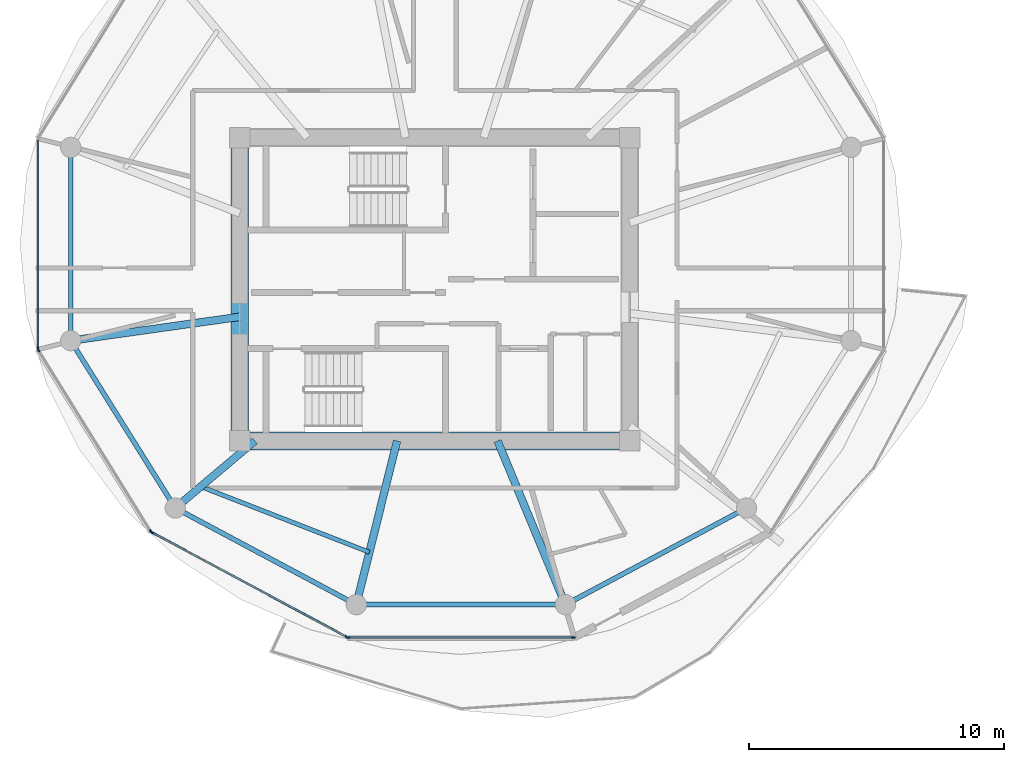
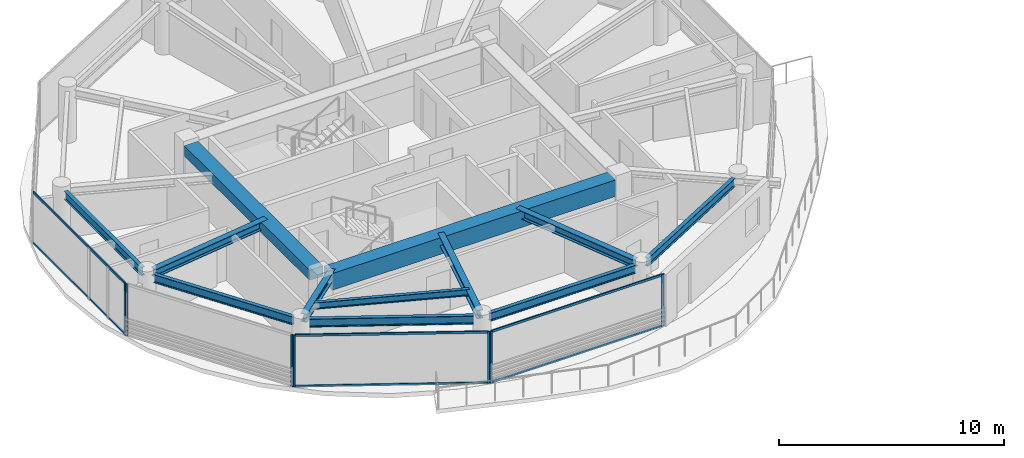
# One storey, part 2 of 22: 13 members, 12 beams, 4 elements without a shape of their own.
"""IFC4 building model written with IfcOpenShell, lengths in metres."""

from ifc_helpers import new_model, si_unit, direction, frame, origin, origin_2d, place, context, subcontext, project, spatial, rectangle, i_section, extrude, source, transform, mapped, material, layer, layer_set, material_profile, profile_set, type_object, type_shapes, element, aggregate, save


model = new_model("IFC4")

# Units and contexts
model_context = context("Model", 3, precision=1e-05, world=origin(), true_north=direction((0.0, 1.0)))
body_context = subcontext(model_context, "Body", "Model", "MODEL_VIEW")
ifc_project = project(units=[si_unit("LENGTHUNIT", "METRE"), si_unit("AREAUNIT", "SQUARE_METRE"), si_unit("VOLUMEUNIT", "CUBIC_METRE"), si_unit("PLANEANGLEUNIT", "RADIAN"), si_unit("MASSUNIT", "GRAM", prefix="KILO")], contexts=[model_context])

# Site, building, storey
site_placement = place(None, origin())
site = spatial("IfcSite", under=ifc_project, at=site_placement, CompositionType="ELEMENT")
building_placement = place(site_placement, origin())
building = spatial("IfcBuilding", under=site, at=building_placement, Name="Norrkilde Senior Care Towers", CompositionType="ELEMENT")
storey_placement = place(building_placement, frame((0.0, 0.0, 180.050048828125)))
storey = spatial("IfcBuildingStorey", under=building, at=storey_placement, Name="L56", CompositionType="ELEMENT", Elevation=180.050048828125)

# Beams
ifc_material_1 = material(Name="Concrete C60/75", Category="concrete")
ifc_material_profile_1 = material_profile(ifc_material_1, rectangle(XDim=0.699951171875, YDim=0.89990234375, at=origin_2d()), Name="RC BM 700x900")
ifc_profile_set_1 = profile_set([ifc_material_profile_1], Name="Concrete C60/75")
beam_type_1 = type_object("IfcBeamType", Name="Core Coupling Girder 700x900", PredefinedType="USERDEFINED", material=ifc_profile_set_1)
shared_shape_1 = source(origin(), body_context, "Body", "SweptSolid", [
    extrude(rectangle(XDim=0.699951171875, YDim=0.89990234375, at=origin_2d()), origin(), (0.0, 0.0, 1.0), 14.5400390625),
])
type_shapes(beam_type_1, [shared_shape_1])
beam_1_placement = place(storey_placement, frame((-35.27001953125, -5.949951171875, 2.35986328125), z_axis=(1.0, 0.0, 0.0), x_axis=(0.0, 1.0, 0.0)))
element("IfcBeam", 1, at=beam_1_placement, inside=storey, type_object=beam_type_1, Name="L56 Core W S Coupling Girder", ObjectType="GIRDER", PredefinedType="USERDEFINED", context=body_context, shape_type="MappedRepresentation", body=[
    mapped(shared_shape_1, transform((0.0, 0.0, 0.0), x_axis=(1.0, 0.0, 0.0), y_axis=(0.0, 1.0, 0.0), z_axis=(0.0, 0.0, 1.0), scale=1.0)),
])
ifc_material_profile_2 = material_profile(ifc_material_1, rectangle(XDim=0.699951171875, YDim=0.550048828125, at=origin_2d()), Name="RC BM 700x550")
ifc_profile_set_2 = profile_set([ifc_material_profile_2], Name="Concrete C60/75")
beam_type_2 = type_object("IfcBeamType", Name="Core Portal Coupling Beam 700x550", PredefinedType="USERDEFINED", material=ifc_profile_set_2)
shared_shape_2 = source(origin(), body_context, "Body", "SweptSolid", [
    extrude(rectangle(XDim=0.699951171875, YDim=0.550048828125, at=origin_2d()), origin(), (0.0, 0.0, 1.0), 11.14013671875),
])
type_shapes(beam_type_2, [shared_shape_2])
beam_2_placement = place(storey_placement, frame((-35.64990234375, -5.570068359375, 2.534912109375), z_axis=(0.0, 1.0, 0.0), x_axis=(-1.0, 0.0, 0.0)))
element("IfcBeam", 2, at=beam_2_placement, inside=storey, type_object=beam_type_2, Name="L56 Core W W Coupling Girder", ObjectType="GIRDER", PredefinedType="USERDEFINED", context=body_context, shape_type="MappedRepresentation", body=[
    mapped(shared_shape_2, transform((0.0, 0.0, 0.0), x_axis=(1.0, 0.0, 0.0), y_axis=(0.0, 1.0, 0.0), z_axis=(0.0, 0.0, 1.0), scale=1.0)),
])
ifc_material_2 = material(Name="Steel S355", Category="steel")
ifc_material_profile_3 = material_profile(ifc_material_2, i_section(OverallWidth=0.18994140625, OverallDepth=0.449951171875, WebThickness=0.009521484375, FlangeThickness=0.0146484375, FilletRadius=0.02099609375, at=origin_2d()), Name="IPE 450")
ifc_profile_set_3 = profile_set([ifc_material_profile_3], Name="Steel S355")
beam_type_3 = type_object("IfcBeamType", Name="Perimeter Ring Spandrel Z3 IPE450", PredefinedType="SPANDREL", material=ifc_profile_set_3)
shared_shape_3 = source(origin(), body_context, "Body", "SweptSolid", [
    extrude(i_section(OverallWidth=0.18994140625, OverallDepth=0.449951171875, WebThickness=0.009521484375, FlangeThickness=0.0146484375, FilletRadius=0.02099609375, at=origin_2d()), origin(), (0.0, 0.0, 1.0), 7.484619140625),
])
beam_3_placement = place(storey_placement, frame((-30.71728515625, -12.37548828125, 2.5849609375), z_axis=(1.0, 0.0, 0.0), x_axis=(0.0, 1.0, 0.0)))
element("IfcBeam", 3, at=beam_3_placement, inside=storey, type_object=beam_type_3, Name="L56 Drum W Perimeter Spandrel 09", PredefinedType="SPANDREL", context=body_context, shape_type="MappedRepresentation", body=[
    mapped(shared_shape_3, transform((0.0, 0.0, 0.0), x_axis=(1.0, 0.0, 0.0), y_axis=(0.0, 1.0, 0.0), z_axis=(0.0, 0.0, 1.0), scale=1.0)),
])
shared_shape_4 = source(origin(), body_context, "Body", "SweptSolid", [
    extrude(i_section(OverallWidth=0.18994140625, OverallDepth=0.449951171875, WebThickness=0.009521484375, FlangeThickness=0.0146484375, FilletRadius=0.02099609375, at=origin_2d()), origin(), (0.0, 0.0, 1.0), 6.86328125),
])
beam_4_placement = place(storey_placement, frame((-42.284912109375, 5.20703125, 2.5849609375), z_axis=(0.0, -1.0, 0.0), x_axis=(1.0, 0.0, 0.0)))
element("IfcBeam", 4, at=beam_4_placement, inside=storey, type_object=beam_type_3, Name="L56 Drum W Perimeter Spandrel 06", PredefinedType="SPANDREL", context=body_context, shape_type="MappedRepresentation", body=[
    mapped(shared_shape_4, transform((0.0, 0.0, 0.0), x_axis=(1.0, 0.0, 0.0), y_axis=(0.0, 1.0, 0.0), z_axis=(0.0, 0.0, 1.0), scale=1.0)),
])
shared_shape_5 = source(origin(), body_context, "Body", "SweptSolid", [
    extrude(i_section(OverallWidth=0.18994140625, OverallDepth=0.449951171875, WebThickness=0.009521484375, FlangeThickness=0.0146484375, FilletRadius=0.02099609375, at=origin_2d()), origin(), (0.0, 0.0, 1.0), 7.023193359375),
])
beam_5_placement = place(storey_placement, frame((-42.09423828125, -2.32177734375, 2.5849609375), z_axis=(0.529805197269, -0.848119362441, 0.0), x_axis=(0.848119362441, 0.529805197269, 0.0)))
element("IfcBeam", 5, at=beam_5_placement, inside=storey, type_object=beam_type_3, Name="L56 Drum W Perimeter Spandrel 07", PredefinedType="SPANDREL", context=body_context, shape_type="MappedRepresentation", body=[
    mapped(shared_shape_5, transform((0.0, 0.0, 0.0), x_axis=(1.0, 0.0, 0.0), y_axis=(0.0, 1.0, 0.0), z_axis=(0.0, 0.0, 1.0), scale=1.0)),
])
ifc_material_profile_4 = material_profile(ifc_material_2, i_section(OverallWidth=0.300048828125, OverallDepth=0.449951171875, WebThickness=0.013916015625, FlangeThickness=0.02587890625, FilletRadius=0.027099609375, at=origin_2d()), Name="HEB 450")
ifc_profile_set_4 = profile_set([ifc_material_profile_4], Name="Steel S355")
beam_type_4 = type_object("IfcBeamType", Name="Radial Floor Beam Z3 HEB450", PredefinedType="BEAM", material=ifc_profile_set_4)
shared_shape_6 = source(origin(), body_context, "Body", "SweptSolid", [
    extrude(i_section(OverallWidth=0.300048828125, OverallDepth=0.449951171875, WebThickness=0.013916015625, FlangeThickness=0.02587890625, FilletRadius=0.027099609375, at=origin_2d()), origin(), (0.0, 0.0, 1.0), 6.3408203125),
])
beam_6_placement = place(storey_placement, frame((-35.64990234375, -1.079833984375, 2.5849609375), z_axis=(-0.990184519576, -0.139766294905, 0.0), x_axis=(0.139766294905, -0.990184519576, 0.0)))
element("IfcBeam", 6, at=beam_6_placement, inside=storey, type_object=beam_type_4, Name="L56 Drum W Radial Floor Beam 07", PredefinedType="BEAM", context=body_context, shape_type="MappedRepresentation", body=[
    mapped(shared_shape_6, transform((0.0, 0.0, 0.0), x_axis=(1.0, 0.0, 0.0), y_axis=(0.0, 1.0, 0.0), z_axis=(0.0, 0.0, 1.0), scale=1.0)),
])
shared_shape_7 = source(origin(), body_context, "Body", "SweptSolid", [
    extrude(i_section(OverallWidth=0.18994140625, OverallDepth=0.449951171875, WebThickness=0.009521484375, FlangeThickness=0.0146484375, FilletRadius=0.02099609375, at=origin_2d()), origin(), (0.0, 0.0, 1.0), 7.333984375),
])
type_shapes(beam_type_3, [shared_shape_3, shared_shape_4, shared_shape_5, shared_shape_7])
for number, where, z_axis, x_axis, name in (
    (7, (-37.864990234375, -8.753173828125, 2.5849609375), (0.882234038987, -0.470811109101, 0.0), (0.470811109101, 0.882234038987, 0.0), "L56 Drum W Perimeter Spandrel 08"),
    (8, (-22.55517578125, -12.2060546875, 2.5849609375), (0.882234038987, 0.470811109101, 0.0), (-0.470811109101, 0.882234038987, 0.0), "L56 Drum W Perimeter Spandrel 10"),
):
    element("IfcBeam", number, at=place(storey_placement, frame(where, z_axis=z_axis, x_axis=x_axis)), inside=storey, type_object=beam_type_3, Name=name, PredefinedType="SPANDREL", context=body_context, shape_type="MappedRepresentation", body=[
        mapped(shared_shape_7, transform((0.0, 0.0, 0.0), x_axis=(1.0, 0.0, 0.0), y_axis=(0.0, 1.0, 0.0), z_axis=(0.0, 0.0, 1.0), scale=1.0)),
    ])
shared_shape_8 = source(origin(), body_context, "Body", "SweptSolid", [
    extrude(i_section(OverallWidth=0.300048828125, OverallDepth=0.449951171875, WebThickness=0.013916015625, FlangeThickness=0.02587890625, FilletRadius=0.027099609375, at=origin_2d()), origin(), (0.0, 0.0, 1.0), 3.7265625),
])
beam_7_placement = place(storey_placement, frame((-35.058349609375, -5.949951171875, 2.5849609375), z_axis=(-0.764567902106, -0.644543189453, 0.0), x_axis=(0.644543189453, -0.764567902106, 0.0)))
element("IfcBeam", 9, at=beam_7_placement, inside=storey, type_object=beam_type_4, Name="L56 Drum W Radial Floor Beam 08", PredefinedType="BEAM", context=body_context, shape_type="MappedRepresentation", body=[
    mapped(shared_shape_8, transform((0.0, 0.0, 0.0), x_axis=(1.0, 0.0, 0.0), y_axis=(0.0, 1.0, 0.0), z_axis=(0.0, 0.0, 1.0), scale=1.0)),
])
shared_shape_9 = source(origin(), body_context, "Body", "SweptSolid", [
    extrude(i_section(OverallWidth=0.300048828125, OverallDepth=0.449951171875, WebThickness=0.013916015625, FlangeThickness=0.02587890625, FilletRadius=0.027099609375, at=origin_2d()), origin(), (0.0, 0.0, 1.0), 6.26123046875),
])
beam_8_placement = place(storey_placement, frame((-29.4794921875, -5.949951171875, 2.5849609375), z_axis=(-0.241324375921, -0.970444509277, 0.0), x_axis=(0.970444509277, -0.241324375921, 0.0)))
element("IfcBeam", 10, at=beam_8_placement, inside=storey, type_object=beam_type_4, Name="L56 Drum W Radial Floor Beam 09", PredefinedType="BEAM", context=body_context, shape_type="MappedRepresentation", body=[
    mapped(shared_shape_9, transform((0.0, 0.0, 0.0), x_axis=(1.0, 0.0, 0.0), y_axis=(0.0, 1.0, 0.0), z_axis=(0.0, 0.0, 1.0), scale=1.0)),
])
shared_shape_10 = source(origin(), body_context, "Body", "SweptSolid", [
    extrude(i_section(OverallWidth=0.300048828125, OverallDepth=0.449951171875, WebThickness=0.013916015625, FlangeThickness=0.02587890625, FilletRadius=0.027099609375, at=origin_2d()), origin(), (0.0, 0.0, 1.0), 6.59521484375),
])
type_shapes(beam_type_4, [shared_shape_6, shared_shape_8, shared_shape_9, shared_shape_10])
beam_9_placement = place(storey_placement, frame((-25.534912109375, -5.949951171875, 2.5849609375), z_axis=(0.382761541363, -0.923847174836, 0.0), x_axis=(0.923847174836, 0.382761541363, 0.0)))
element("IfcBeam", 11, at=beam_9_placement, inside=storey, type_object=beam_type_4, Name="L56 Drum W Radial Floor Beam 10", PredefinedType="BEAM", context=body_context, shape_type="MappedRepresentation", body=[
    mapped(shared_shape_10, transform((0.0, 0.0, 0.0), x_axis=(1.0, 0.0, 0.0), y_axis=(0.0, 1.0, 0.0), z_axis=(0.0, 0.0, 1.0), scale=1.0)),
])
ifc_material_profile_5 = material_profile(ifc_material_2, i_section(OverallWidth=0.169921875, OverallDepth=0.360107421875, WebThickness=0.008056640625, FlangeThickness=0.0126953125, FilletRadius=0.01806640625, at=origin_2d()), Name="IPE 360")
ifc_profile_set_5 = profile_set([ifc_material_profile_5], Name="Steel S355")
beam_type_5 = type_object("IfcBeamType", Name="Secondary Floor Joist IPE360", PredefinedType="JOIST", material=ifc_profile_set_5)
shared_shape_11 = source(origin(), body_context, "Body", "SweptSolid", [
    extrude(i_section(OverallWidth=0.169921875, OverallDepth=0.360107421875, WebThickness=0.008056640625, FlangeThickness=0.0126953125, FilletRadius=0.01806640625, at=origin_2d()), origin(), (0.0, 0.0, 1.0), 7.1015625),
])
type_shapes(beam_type_5, [shared_shape_11])
beam_10_placement = place(storey_placement, frame((-37.182861328125, -7.740966796875, 2.6298828125), z_axis=(0.931761231292, -0.363071629106, 0.0), x_axis=(0.363071629106, 0.931761231292, 0.0)))
element("IfcBeam", 12, at=beam_10_placement, inside=storey, type_object=beam_type_5, Name="L56 Drum W Secondary Floor Joist 3", PredefinedType="JOIST", context=body_context, shape_type="MappedRepresentation", body=[
    mapped(shared_shape_11, transform((0.0, 0.0, 0.0), x_axis=(1.0, 0.0, 0.0), y_axis=(0.0, 1.0, 0.0), z_axis=(0.0, 0.0, 1.0), scale=1.0)),
])

# Curtain wall, member
ifc_material_3 = material(Name="Triple Low-E Insulated Glazing", Category="glass")
ifc_layer = layer(ifc_material_3, 0.18994140625)
ifc_layer_set = layer_set([ifc_layer], Name="Triple Low-E Insulated Glazing")
curtain_wall_type = type_object("IfcCurtainWallType", Name="CW4 Zone 3 Senior Residence Curtain Wall", PredefinedType="NOTDEFINED", material=ifc_layer_set)
curtain_wall_1_placement = place(storey_placement, origin())
curtain_wall_1 = element("IfcCurtainWall", 13, at=curtain_wall_1_placement, inside=storey, type_object=curtain_wall_type, Name="L56 Drum W Curtain Wall 05", PredefinedType="NOTDEFINED")
ifc_material_4 = material(Name="Anodised Aluminium", Category="aluminium")
ifc_material_profile_6 = material_profile(ifc_material_4, rectangle(XDim=0.06494140625, YDim=0.14990234375, at=origin_2d()), Name="ALU MULL 65x150")
ifc_profile_set_6 = profile_set([ifc_material_profile_6], Name="Anodised Aluminium")
member_type_1 = type_object("IfcMemberType", Name="Curtain Wall Mullion Z3-Z4 65x150", PredefinedType="MULLION", material=ifc_profile_set_6)
shared_shape_12 = source(origin(), body_context, "Body", "SweptSolid", [
    extrude(rectangle(XDim=0.06494140625, YDim=0.14990234375, at=origin_2d()), origin(), (0.0, 0.0, 1.0), 2.81005859375),
])
type_shapes(member_type_1, [shared_shape_12])
member_1_placement = place(storey_placement, frame((-43.569580078125, -2.328125, 0.0), z_axis=(0.0, 0.0, 1.0), x_axis=(-1.0, 0.0, 0.0)))
member_1 = element("IfcMember", 14, at=member_1_placement, type_object=member_type_1, Name="CW-4 mullion 1", PredefinedType="MULLION", context=body_context, shape_type="MappedRepresentation", body=[
    mapped(shared_shape_12, transform((0.0, 0.0, 0.0), x_axis=(1.0, 0.0, 0.0), y_axis=(0.0, 1.0, 0.0), z_axis=(0.0, 0.0, 1.0), scale=1.0)),
])

# Curtain wall, members
curtain_wall_2_placement = place(storey_placement, origin())
curtain_wall_2 = element("IfcCurtainWall", 15, at=curtain_wall_2_placement, inside=storey, type_object=curtain_wall_type, Name="L56 Drum W Curtain Wall 06", PredefinedType="NOTDEFINED")
member_2_placement = place(storey_placement, frame((-39.14013671875, -9.49658203125, 0.0), z_axis=(0.0, 0.0, 1.0), x_axis=(-0.84963405474, -0.52737270789, 0.0)))
member_2 = element("IfcMember", 16, at=member_2_placement, type_object=member_type_1, Name="CW-4 mullion 1", PredefinedType="MULLION", context=body_context, shape_type="MappedRepresentation", body=[
    mapped(shared_shape_12, transform((0.0, 0.0, 0.0), x_axis=(1.0, 0.0, 0.0), y_axis=(0.0, 1.0, 0.0), z_axis=(0.0, 0.0, 1.0), scale=1.0)),
])
member_3_placement = place(storey_placement, frame((-43.552490234375, -2.38818359375, 0.0), z_axis=(0.0, 0.0, 1.0), x_axis=(-0.84963405474, -0.52737270789, 0.0)))
member_3 = element("IfcMember", 17, at=member_3_placement, type_object=member_type_1, Name="CW-4 mullion 2", PredefinedType="MULLION", context=body_context, shape_type="MappedRepresentation", body=[
    mapped(shared_shape_12, transform((0.0, 0.0, 0.0), x_axis=(1.0, 0.0, 0.0), y_axis=(0.0, 1.0, 0.0), z_axis=(0.0, 0.0, 1.0), scale=1.0)),
])
aggregate(curtain_wall_2, [member_2, member_3])

curtain_wall_3_placement = place(storey_placement, origin())
curtain_wall_3 = element("IfcCurtainWall", 18, at=curtain_wall_3_placement, inside=storey, type_object=curtain_wall_type, Name="L56 Drum W Curtain Wall 07", PredefinedType="NOTDEFINED")
member_4_placement = place(storey_placement, frame((-31.4501953125, -13.644775390625, 0.0), z_axis=(0.0, 0.0, 1.0), x_axis=(-0.47311715104, -0.880999524059, 0.0)))
member_4 = element("IfcMember", 19, at=member_4_placement, type_object=member_type_1, Name="CW-4 mullion 1", PredefinedType="MULLION", context=body_context, shape_type="MappedRepresentation", body=[
    mapped(shared_shape_12, transform((0.0, 0.0, 0.0), x_axis=(1.0, 0.0, 0.0), y_axis=(0.0, 1.0, 0.0), z_axis=(0.0, 0.0, 1.0), scale=1.0)),
])
member_5_placement = place(storey_placement, frame((-39.094482421875, -9.53955078125, 0.0), z_axis=(0.0, 0.0, 1.0), x_axis=(-0.47311715104, -0.880999524059, 0.0)))
member_5 = element("IfcMember", 20, at=member_5_placement, type_object=member_type_1, Name="CW-4 mullion 2", PredefinedType="MULLION", context=body_context, shape_type="MappedRepresentation", body=[
    mapped(shared_shape_12, transform((0.0, 0.0, 0.0), x_axis=(1.0, 0.0, 0.0), y_axis=(0.0, 1.0, 0.0), z_axis=(0.0, 0.0, 1.0), scale=1.0)),
])

curtain_wall_4_placement = place(storey_placement, origin())
curtain_wall_4 = element("IfcCurtainWall", 21, at=curtain_wall_4_placement, inside=storey, type_object=curtain_wall_type, Name="L56 Drum W Curtain Wall 08", PredefinedType="NOTDEFINED")
member_6_placement = place(storey_placement, frame((-22.56103515625, -13.66015625, 0.0), z_axis=(0.0, 0.0, 1.0), x_axis=(0.0, -1.0, 0.0)))
member_6 = element("IfcMember", 22, at=member_6_placement, type_object=member_type_1, Name="CW-4 mullion 1", PredefinedType="MULLION", context=body_context, shape_type="MappedRepresentation", body=[
    mapped(shared_shape_12, transform((0.0, 0.0, 0.0), x_axis=(1.0, 0.0, 0.0), y_axis=(0.0, 1.0, 0.0), z_axis=(0.0, 0.0, 1.0), scale=1.0)),
])
member_7_placement = place(storey_placement, frame((-31.388916015625, -13.66015625, 0.0), z_axis=(0.0, 0.0, 1.0), x_axis=(0.0, -1.0, 0.0)))
member_7 = element("IfcMember", 23, at=member_7_placement, type_object=member_type_1, Name="CW-4 mullion 2", PredefinedType="MULLION", context=body_context, shape_type="MappedRepresentation", body=[
    mapped(shared_shape_12, transform((0.0, 0.0, 0.0), x_axis=(1.0, 0.0, 0.0), y_axis=(0.0, 1.0, 0.0), z_axis=(0.0, 0.0, 1.0), scale=1.0)),
])
ifc_material_profile_7 = material_profile(ifc_material_4, rectangle(XDim=0.06005859375, YDim=0.1201171875, at=origin_2d()), Name="ALU TRAN 60x120")
ifc_profile_set_7 = profile_set([ifc_material_profile_7], Name="Anodised Aluminium")
member_type_2 = type_object("IfcMemberType", Name="Curtain Wall Transom Typical 60x120", PredefinedType="USERDEFINED", material=ifc_profile_set_7)
shared_shape_13 = source(origin(), body_context, "Body", "SweptSolid", [
    extrude(rectangle(XDim=0.06005859375, YDim=0.1201171875, at=origin_2d()), origin(), (0.0, 0.0, 1.0), 8.762939453125),
])
member_8_placement = place(storey_placement, frame((-22.593505859375, -13.66015625, 0.030029296875), z_axis=(-1.0, 0.0, 0.0), x_axis=(0.0, -1.0, 0.0)))
member_8 = element("IfcMember", 24, at=member_8_placement, type_object=member_type_2, Name="CW-4 transom 1.1", ObjectType="TRANSOM", PredefinedType="USERDEFINED", context=body_context, shape_type="MappedRepresentation", body=[
    mapped(shared_shape_13, transform((0.0, 0.0, 0.0), x_axis=(1.0, 0.0, 0.0), y_axis=(0.0, 1.0, 0.0), z_axis=(0.0, 0.0, 1.0), scale=1.0)),
])
member_9_placement = place(storey_placement, frame((-22.593505859375, -13.66015625, 2.780029296875), z_axis=(-1.0, 0.0, 0.0), x_axis=(0.0, -1.0, 0.0)))
member_9 = element("IfcMember", 25, at=member_9_placement, type_object=member_type_2, Name="CW-4 transom 1.2", ObjectType="TRANSOM", PredefinedType="USERDEFINED", context=body_context, shape_type="MappedRepresentation", body=[
    mapped(shared_shape_13, transform((0.0, 0.0, 0.0), x_axis=(1.0, 0.0, 0.0), y_axis=(0.0, 1.0, 0.0), z_axis=(0.0, 0.0, 1.0), scale=1.0)),
])
aggregate(curtain_wall_4, [member_6, member_7, member_8, member_9])

# Member
shared_shape_14 = source(origin(), body_context, "Body", "SweptSolid", [
    extrude(rectangle(XDim=0.06005859375, YDim=0.1201171875, at=origin_2d()), origin(), (0.0, 0.0, 1.0), 8.612060546875),
])
member_10_placement = place(storey_placement, frame((-31.478759765625, -13.62939453125, 0.030029296875), z_axis=(-0.881000337462, 0.473115636384, 0.0), x_axis=(-0.473115636384, -0.881000337462, 0.0)))
member_10 = element("IfcMember", 26, at=member_10_placement, type_object=member_type_2, Name="CW-4 transom 1.1", ObjectType="TRANSOM", PredefinedType="USERDEFINED", context=body_context, shape_type="MappedRepresentation", body=[
    mapped(shared_shape_14, transform((0.0, 0.0, 0.0), x_axis=(1.0, 0.0, 0.0), y_axis=(0.0, 1.0, 0.0), z_axis=(0.0, 0.0, 1.0), scale=1.0)),
])

member_11_placement = place(storey_placement, frame((-31.478759765625, -13.62939453125, 2.780029296875), z_axis=(-0.881000337462, 0.473115636384, 0.0), x_axis=(-0.473115636384, -0.881000337462, 0.0)))
member_11 = element("IfcMember", 27, at=member_11_placement, type_object=member_type_2, Name="CW-4 transom 1.2", ObjectType="TRANSOM", PredefinedType="USERDEFINED", context=body_context, shape_type="MappedRepresentation", body=[
    mapped(shared_shape_14, transform((0.0, 0.0, 0.0), x_axis=(1.0, 0.0, 0.0), y_axis=(0.0, 1.0, 0.0), z_axis=(0.0, 0.0, 1.0), scale=1.0)),
])

aggregate(curtain_wall_3, [member_4, member_5, member_10, member_11])

shared_shape_15 = source(origin(), body_context, "Body", "SweptSolid", [
    extrude(rectangle(XDim=0.06005859375, YDim=0.1201171875, at=origin_2d()), origin(), (0.0, 0.0, 1.0), 8.141845703125),
])
type_shapes(member_type_2, [shared_shape_13, shared_shape_14, shared_shape_15])
member_12_placement = place(storey_placement, frame((-43.569580078125, -2.295654296875, 0.030029296875), z_axis=(0.0, 1.0, 0.0), x_axis=(-1.0, 0.0, 0.0)))
member_12 = element("IfcMember", 28, at=member_12_placement, type_object=member_type_2, Name="CW-4 transom 1.1", ObjectType="TRANSOM", PredefinedType="USERDEFINED", context=body_context, shape_type="MappedRepresentation", body=[
    mapped(shared_shape_15, transform((0.0, 0.0, 0.0), x_axis=(1.0, 0.0, 0.0), y_axis=(0.0, 1.0, 0.0), z_axis=(0.0, 0.0, 1.0), scale=1.0)),
])

member_13_placement = place(storey_placement, frame((-43.569580078125, -2.295654296875, 2.780029296875), z_axis=(0.0, 1.0, 0.0), x_axis=(-1.0, 0.0, 0.0)))
member_13 = element("IfcMember", 29, at=member_13_placement, type_object=member_type_2, Name="CW-4 transom 1.2", ObjectType="TRANSOM", PredefinedType="USERDEFINED", context=body_context, shape_type="MappedRepresentation", body=[
    mapped(shared_shape_15, transform((0.0, 0.0, 0.0), x_axis=(1.0, 0.0, 0.0), y_axis=(0.0, 1.0, 0.0), z_axis=(0.0, 0.0, 1.0), scale=1.0)),
])

aggregate(curtain_wall_1, [member_1, member_12, member_13])

save(model, "model.ifc")
